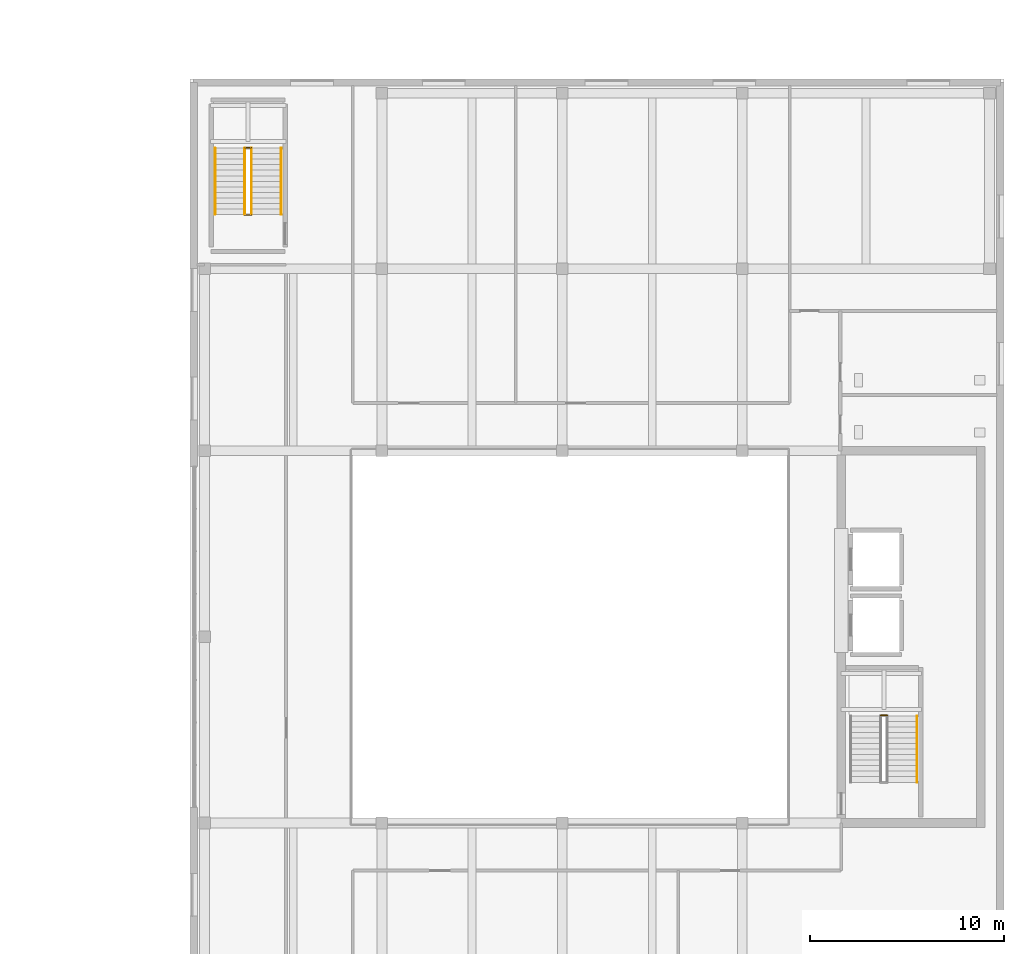
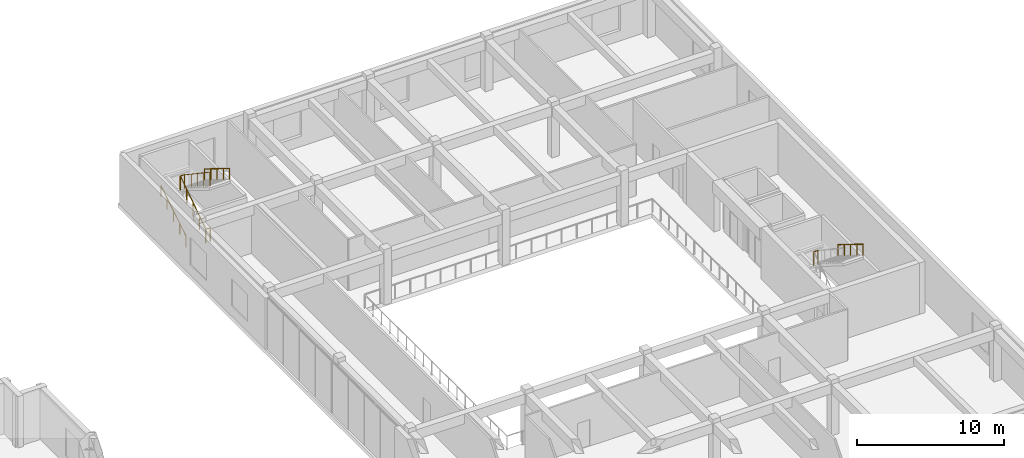
# One storey, part 23 of 24: 8 railings.
"""IFC4 building model written with IfcOpenShell, lengths in metres."""

from ifc_helpers import new_model, si_unit, direction, frame, origin, origin_2d, place, context, subcontext, project, spatial, circle, extrude, material, type_object, element, save


model = new_model("IFC4")

# Units and contexts
model_context = context("Model", 3, precision=1e-05, world=origin(), true_north=direction((0.0, 1.0)))
body_context = subcontext(model_context, "Body", "Model", "MODEL_VIEW")
ifc_project = project(units=[si_unit("LENGTHUNIT", "METRE"), si_unit("AREAUNIT", "SQUARE_METRE"), si_unit("VOLUMEUNIT", "CUBIC_METRE"), si_unit("PLANEANGLEUNIT", "RADIAN"), si_unit("MASSUNIT", "GRAM", prefix="KILO")], contexts=[model_context])

# Site, building, storey
site_placement = place(None, origin())
site = spatial("IfcSite", under=ifc_project, at=site_placement, CompositionType="ELEMENT")
building_placement = place(site_placement, origin())
building = spatial("IfcBuilding", under=site, at=building_placement, Name="Norrvale University Quadrangle", CompositionType="ELEMENT")
storey_placement = place(building_placement, frame((0.0, 0.0, 10.39990234375)))
storey = spatial("IfcBuildingStorey", under=building, at=storey_placement, Name="L02", CompositionType="ELEMENT", Elevation=10.39990234375)

# Railings
ifc_material_1 = material(Name="Steel 350W Painted Balustrade", Category="steel")
railing_type_1 = type_object("IfcRailingType", Name="Railing Stair Guard 1100", PredefinedType="GUARDRAIL", material=ifc_material_1)
railing_1_placement = place(storey_placement, frame((120.830078125, 24.75, 2.300048828125)))
element("IfcRailing", 1, at=railing_1_placement, inside=storey, type_object=railing_type_1, Name="Stair Mid-Landing Slot Guard ST-L1 L02", PredefinedType="GUARDRAIL", context=body_context, shape_type="SweptSolid", body=[
    extrude(circle(Radius=0.02392578125, at=origin_2d()), frame((0.0, 0.0, 1.1259765625), z_axis=(1.0, 0.0, 0.0), x_axis=(0.0, 1.0, 0.0)), (0.0, 0.0, 1.0), 0.33984375),
    extrude(circle(Radius=0.02099609375, at=origin_2d()), origin(), (0.0, 0.0, 1.0), 1.101806640625),
    extrude(circle(Radius=0.02099609375, at=origin_2d()), frame((0.33984375, 0.0, 0.0)), (0.0, 0.0, 1.0), 1.101806640625),
])
for number, where, name in (
    (2, (88.030029296875, 50.570068359375, 0.0), "Stair Floor Well Guard ST-L3 L02"),
    (3, (88.030029296875, 54.050048828125, 2.300048828125), "Stair Mid-Landing Slot Guard ST-L3 L02"),
):
    element("IfcRailing", number, at=place(storey_placement, frame(where)), inside=storey, type_object=railing_type_1, Name=name, PredefinedType="GUARDRAIL", context=body_context, shape_type="SweptSolid", body=[
        extrude(circle(Radius=0.02392578125, at=origin_2d()), frame((0.0, 0.0, 1.1259765625), z_axis=(1.0, 0.0, 0.0), x_axis=(0.0, 1.0, 0.0)), (0.0, 0.0, 1.0), 0.340087890625),
        extrude(circle(Radius=0.02099609375, at=origin_2d()), origin(), (0.0, 0.0, 1.0), 1.101806640625),
        extrude(circle(Radius=0.02099609375, at=origin_2d()), frame((0.340087890625, 0.0, 0.0)), (0.0, 0.0, 1.0), 1.101806640625),
    ])
railing_2_placement = place(storey_placement, frame((88.030029296875, 50.60009765625, 0.0)))
element("IfcRailing", 4, at=railing_2_placement, inside=storey, type_object=railing_type_1, Name="Stair Lower Flight Inner Guard ST-L3 L02", PredefinedType="GUARDRAIL", context=body_context, shape_type="SweptSolid", body=[
    extrude(circle(Radius=0.02392578125, at=origin_2d()), frame((0.0, 0.0, 1.1259765625), z_axis=(0.0, 0.8297924358, 0.55807214004), x_axis=(-1.0, 0.0, 0.0)), (0.0, 0.0, 1.0), 4.121337890625),
    extrude(circle(Radius=0.02099609375, at=origin_2d()), origin(), (0.0, 0.0, 1.0), 1.101806640625),
    extrude(circle(Radius=0.02099609375, at=origin_2d()), frame((0.0, 0.85498046875, 0.574951171875)), (0.0, 0.0, 1.0), 1.101806640625),
    extrude(circle(Radius=0.02099609375, at=origin_2d()), frame((0.0, 1.7099609375, 1.14990234375)), (0.0, 0.0, 1.0), 1.101806640625),
    extrude(circle(Radius=0.02099609375, at=origin_2d()), frame((0.0, 2.56494140625, 1.72509765625)), (0.0, 0.0, 1.0), 1.101806640625),
    extrude(circle(Radius=0.02099609375, at=origin_2d()), frame((0.0, 3.419921875, 2.300048828125)), (0.0, 0.0, 1.0), 1.101806640625),
])
railing_3_placement = place(storey_placement, frame((88.3701171875, 54.02001953125, 2.300048828125)))
element("IfcRailing", 5, at=railing_3_placement, inside=storey, type_object=railing_type_1, Name="Stair Upper Flight Inner Guard ST-L3 L02", PredefinedType="GUARDRAIL", context=body_context, shape_type="SweptSolid", body=[
    extrude(circle(Radius=0.02392578125, at=origin_2d()), frame((0.0, 0.0, 1.1259765625), z_axis=(0.0, -0.8297924358, 0.55807214004), x_axis=(1.0, 0.0, 0.0)), (0.0, 0.0, 1.0), 4.121337890625),
    extrude(circle(Radius=0.02099609375, at=origin_2d()), origin(), (0.0, 0.0, 1.0), 1.101806640625),
    extrude(circle(Radius=0.02099609375, at=origin_2d()), frame((0.0, -0.85498046875, 0.574951171875)), (0.0, 0.0, 1.0), 1.101806640625),
    extrude(circle(Radius=0.02099609375, at=origin_2d()), frame((0.0, -1.7099609375, 1.14990234375)), (0.0, 0.0, 1.0), 1.101806640625),
    extrude(circle(Radius=0.02099609375, at=origin_2d()), frame((0.0, -2.56494140625, 1.72509765625)), (0.0, 0.0, 1.0), 1.101806640625),
    extrude(circle(Radius=0.02099609375, at=origin_2d()), frame((0.0, -3.419921875, 2.300048828125)), (0.0, 0.0, 1.0), 1.101806640625),
])
ifc_material_2 = material(Name="Stainless Steel 316L Handrail", Category="steel")
railing_type_2 = type_object("IfcRailingType", Name="Railing Stair Handrail 920", PredefinedType="HANDRAIL", material=ifc_material_2)
railing_4_placement = place(storey_placement, frame((122.7099609375, 24.719970703125, 2.47705078125)))
element("IfcRailing", 6, at=railing_4_placement, inside=storey, type_object=railing_type_2, Name="Stair Upper Flight Handrail ST-L1 L02", PredefinedType="HANDRAIL", context=body_context, shape_type="SweptSolid", body=[
    extrude(circle(Radius=0.02392578125, at=origin_2d()), frame((0.0, 0.0, 0.89599609375), z_axis=(0.0, -0.849602680019, 0.527423251388), x_axis=(1.0, 0.0, 0.0)), (0.0, 0.0, 1.0), 4.025390625),
    extrude(circle(Radius=0.02099609375, at=origin_2d()), origin(), (0.0, 0.0, 1.0), 0.871826171875),
    extrude(circle(Radius=0.02099609375, at=origin_2d()), frame((0.0, -0.85498046875, 0.53076171875)), (0.0, 0.0, 1.0), 0.871826171875),
    extrude(circle(Radius=0.02099609375, at=origin_2d()), frame((0.0, -1.7099609375, 1.0615234375)), (0.0, 0.0, 1.0), 0.871826171875),
    extrude(circle(Radius=0.02099609375, at=origin_2d()), frame((0.0, -2.56494140625, 1.59228515625)), (0.0, 0.0, 1.0), 0.871826171875),
    extrude(circle(Radius=0.02099609375, at=origin_2d()), frame((0.0, -3.419921875, 2.123046875)), (0.0, 0.0, 1.0), 0.871826171875),
])
railing_5_placement = place(storey_placement, frame((86.489990234375, 50.60009765625, 0.177001953125)))
element("IfcRailing", 7, at=railing_5_placement, inside=storey, type_object=railing_type_2, Name="Stair Lower Flight Handrail ST-L3 L02", PredefinedType="HANDRAIL", context=body_context, shape_type="SweptSolid", body=[
    extrude(circle(Radius=0.02392578125, at=origin_2d()), frame((0.0, 0.0, 0.89599609375), z_axis=(0.0, 0.849602680019, 0.527423251388), x_axis=(-1.0, 0.0, 0.0)), (0.0, 0.0, 1.0), 4.025390625),
    extrude(circle(Radius=0.02099609375, at=origin_2d()), origin(), (0.0, 0.0, 1.0), 0.871826171875),
    extrude(circle(Radius=0.02099609375, at=origin_2d()), frame((0.0, 0.85498046875, 0.53076171875)), (0.0, 0.0, 1.0), 0.871826171875),
    extrude(circle(Radius=0.02099609375, at=origin_2d()), frame((0.0, 1.7099609375, 1.0615234375)), (0.0, 0.0, 1.0), 0.871826171875),
    extrude(circle(Radius=0.02099609375, at=origin_2d()), frame((0.0, 2.56494140625, 1.59228515625)), (0.0, 0.0, 1.0), 0.871826171875),
    extrude(circle(Radius=0.02099609375, at=origin_2d()), frame((0.0, 3.419921875, 2.123046875)), (0.0, 0.0, 1.0), 0.871826171875),
])
railing_6_placement = place(storey_placement, frame((89.909912109375, 54.02001953125, 2.47705078125)))
element("IfcRailing", 8, at=railing_6_placement, inside=storey, type_object=railing_type_2, Name="Stair Upper Flight Handrail ST-L3 L02", PredefinedType="HANDRAIL", context=body_context, shape_type="SweptSolid", body=[
    extrude(circle(Radius=0.02392578125, at=origin_2d()), frame((0.0, 0.0, 0.89599609375), z_axis=(0.0, -0.849602680019, 0.527423251388), x_axis=(1.0, 0.0, 0.0)), (0.0, 0.0, 1.0), 4.025390625),
    extrude(circle(Radius=0.02099609375, at=origin_2d()), origin(), (0.0, 0.0, 1.0), 0.871826171875),
    extrude(circle(Radius=0.02099609375, at=origin_2d()), frame((0.0, -0.85498046875, 0.53076171875)), (0.0, 0.0, 1.0), 0.871826171875),
    extrude(circle(Radius=0.02099609375, at=origin_2d()), frame((0.0, -1.7099609375, 1.0615234375)), (0.0, 0.0, 1.0), 0.871826171875),
    extrude(circle(Radius=0.02099609375, at=origin_2d()), frame((0.0, -2.56494140625, 1.59228515625)), (0.0, 0.0, 1.0), 0.871826171875),
    extrude(circle(Radius=0.02099609375, at=origin_2d()), frame((0.0, -3.419921875, 2.123046875)), (0.0, 0.0, 1.0), 0.871826171875),
])

save(model, "model.ifc")
